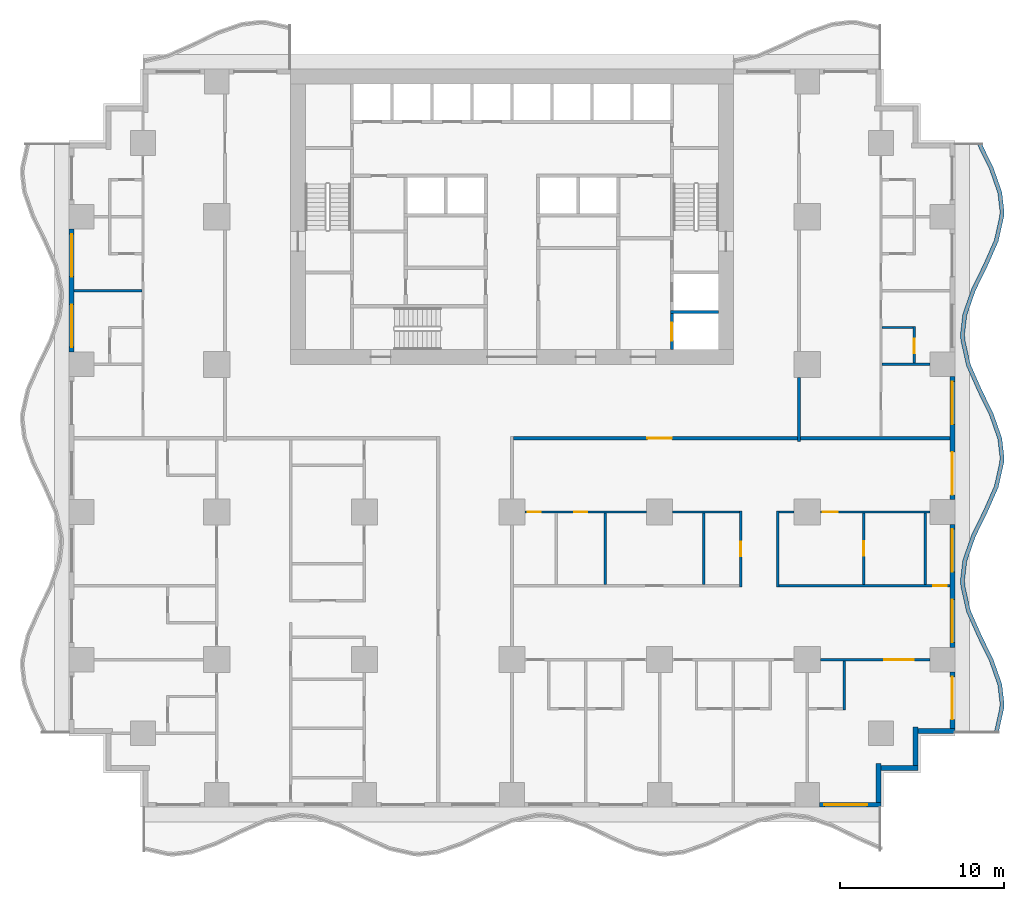
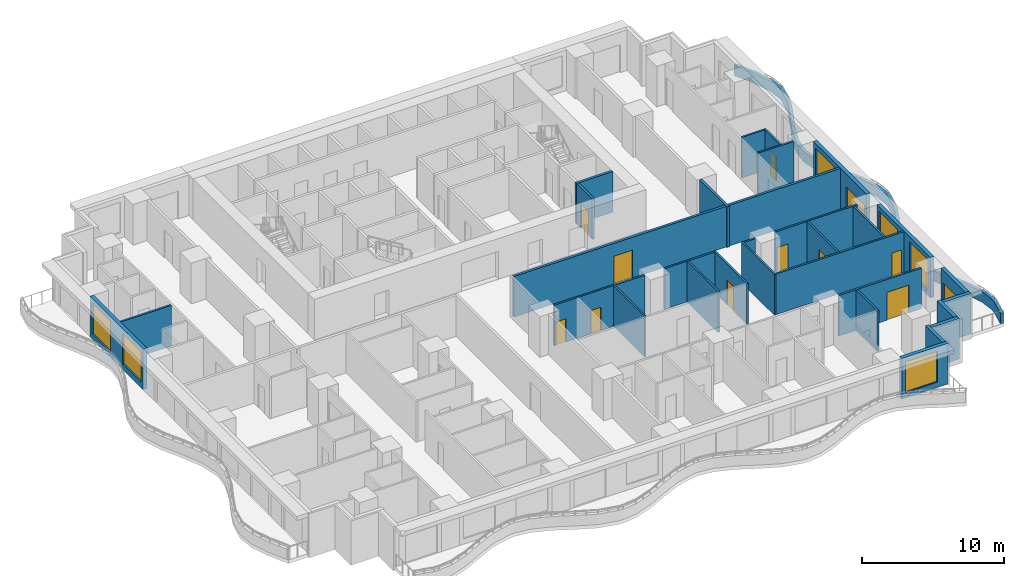
# One storey, part 4 of 14: 32 walls, 12 doors, 6 windows, 18 openings.
"""IFC4 building model written with IfcOpenShell, lengths in metres."""

from ifc_helpers import new_model, si_unit, direction, frame, frame_2d, origin, place, context, subcontext, project, spatial, polyline, rectangle, outline, extrude, material, layer, layer_set, type_object, element, fill, save


model = new_model("IFC4")

# Units and contexts
model_context = context("Model", 3, precision=1e-05, world=origin(), true_north=direction((0.0, 1.0)))
body_context = subcontext(model_context, "Body", "Model", "MODEL_VIEW")
ifc_project = project(units=[si_unit("LENGTHUNIT", "METRE"), si_unit("AREAUNIT", "SQUARE_METRE"), si_unit("VOLUMEUNIT", "CUBIC_METRE"), si_unit("PLANEANGLEUNIT", "RADIAN"), si_unit("MASSUNIT", "GRAM", prefix="KILO")], contexts=[model_context])

# Site, building, storey
site_placement = place(None, origin())
site = spatial("IfcSite", under=ifc_project, at=site_placement, CompositionType="ELEMENT")
building_placement = place(site_placement, origin())
building = spatial("IfcBuilding", under=site, at=building_placement, Name="Orbiselva Terraces", CompositionType="ELEMENT")
storey_placement = place(building_placement, frame((0.0, 0.0, 18.8)))
storey = spatial("IfcBuildingStorey", under=building, at=storey_placement, Name="L04", CompositionType="ELEMENT", Elevation=18.8)

# Wall, opening, door
ifc_material_1 = material(Name="Concrete C60/75", Category="concrete")
ifc_layer_1 = layer(ifc_material_1, 0.2)
ifc_layer_set_1 = layer_set([ifc_layer_1], Name="Concrete C60/75")
wall_type_1 = type_object("IfcWallType", Name="CORE-WALL-SHEAR-200", PredefinedType="SHEAR", material=ifc_layer_set_1)
wall_1_placement = place(storey_placement, frame((9.75, 5.4, 0.0), z_axis=(0.0, 0.0, 1.0), x_axis=(0.0, 1.0, 0.0)))
wall_1 = element("IfcWall", 1, at=wall_1_placement, inside=storey, type_object=wall_type_1, Name="L04 core wall 44", PredefinedType="SHEAR", context=body_context, shape_type="SweptSolid", body=[
    extrude(rectangle(XDim=2.2, YDim=0.2, at=frame_2d((1.1, 0.0))), origin(), (0.0, 0.0, 1.0), 3.5),
])
opening_1_placement = place(wall_1_placement, frame((0.55, 0.0, 0.0)))
opening_1 = element("IfcOpeningElement", 2, at=opening_1_placement, cuts=wall_1, Name="Opening LD-FF1", PredefinedType="OPENING", context=body_context, shape_type="SweptSolid", body=[
    extrude(rectangle(XDim=1.1, YDim=2.1, at=frame_2d((0.55, 1.05))), frame((0.0, 0.11, 0.0), z_axis=(0.0, -1.0, 0.0), x_axis=(1.0, 0.0, 0.0)), (0.0, 0.0, 1.0), 0.22),
])
ifc_material_2 = material(Name="Stainless steel landing door", Category="steel")
door_type_1 = type_object("IfcDoorType", Name="LANDING DOOR 1100", OperationType="SLIDING_TO_LEFT", PredefinedType="DOOR", material=ifc_material_2)
door_1_placement = place(opening_1_placement, origin())
door_1 = element("IfcDoor", 3, at=door_1_placement, inside=storey, type_object=door_type_1, Name="L04 landing door FF1", OperationType="SLIDING_TO_RIGHT", OverallHeight=2.1, OverallWidth=1.1, PredefinedType="DOOR", context=body_context, shape_type="SweptSolid", body=[
    extrude(rectangle(XDim=1.1, YDim=2.1, at=frame_2d((0.55, 1.05))), frame((0.0, 0.025, 0.0), z_axis=(0.0, -1.0, 0.0), x_axis=(1.0, 0.0, 0.0)), (0.0, 0.0, 1.0), 0.05),
])
fill(opening_1, door_1)

# Walls
wall_2_placement = place(storey_placement, frame((9.65, 7.7, 0.0), z_axis=(0.0, 0.0, 1.0), x_axis=(1.0, 0.0, 0.0)))
element("IfcWall", 4, at=wall_2_placement, inside=storey, type_object=wall_type_1, Name="L04 core wall 45", PredefinedType="SHEAR", context=body_context, shape_type="SweptSolid", body=[
    extrude(rectangle(XDim=2.95, YDim=0.2, at=frame_2d((1.475, 0.0))), origin(), (0.0, 0.0, 1.0), 3.5),
])
ifc_material_3 = material(Name="Concrete C40/50", Category="concrete")
ifc_layer_2 = layer(ifc_material_3, 0.25)
ifc_layer_set_2 = layer_set([ifc_layer_2], Name="Concrete C40/50")
wall_type_2 = type_object("IfcWallType", Name="ENV-PLANTER-250x900", PredefinedType="USERDEFINED", material=ifc_layer_set_2)
wall_3_placement = place(storey_placement, origin())
element("IfcWall", 5, at=wall_3_placement, inside=storey, type_object=wall_type_2, Name="Balcony planter L04 E", ObjectType="PLANTER", PredefinedType="USERDEFINED", context=body_context, shape_type="SweptSolid", body=[
    extrude(outline(polyline([(29.648528, -18.0), (29.985226, -16.5), (30.0, -16.125), (29.869208, -15.0), (29.344789, -13.5), (28.612279, -12.0), (27.951472, -10.5), (27.614774, -9.0), (27.6, -8.625), (27.730792, -7.5), (28.255211, -6.0), (28.987721, -4.5), (29.648528, -3.0), (29.985226, -1.5), (30.0, -1.125), (29.869208, 0.0), (29.344789, 1.5), (28.612279, 3.0), (27.951472, 4.5), (27.614774, 6.0), (27.6, 6.375), (27.730792, 7.5), (28.255211, 9.0), (28.987721, 10.5), (29.648528, 12.0), (29.985226, 13.5), (30.0, 13.875), (29.869208, 15.0), (29.344789, 16.5), (28.612279, 18.0), (28.387634, 17.890297), (29.113667, 16.40356), (29.624078, 14.943629), (29.749429, 13.865428), (29.736315, 13.532565), (29.40993, 12.078508), (28.760919, 10.605286), (28.024089, 9.09644), (27.485662, 7.556371), (27.349429, 6.384572), (27.365863, 5.967435), (27.712874, 4.421492), (28.385477, 2.894714), (29.113667, 1.40356), (29.624078, -0.056371), (29.749429, -1.134572), (29.736315, -1.467435), (29.40993, -2.921492), (28.760919, -4.394714), (28.024089, -5.90356), (27.485662, -7.443629), (27.349429, -8.615428), (27.365863, -9.032565), (27.712874, -10.578508), (28.385477, -12.105286), (29.113667, -13.59644), (29.624078, -15.056371), (29.749429, -16.134572), (29.736315, -16.467435), (29.404598, -17.945246), (29.648528, -18.0)])), origin(), (0.0, 0.0, 1.0), 0.9),
])

# Wall, opening, window
ifc_material_4 = material(Name="Terracotta cladding on masonry backing", Category="masonry")
ifc_layer_3 = layer(ifc_material_4, 0.3)
ifc_layer_set_3 = layer_set([ifc_layer_3], Name="Terracotta cladding on masonry backing")
wall_type_3 = type_object("IfcWallType", Name="ENV-WALL-TERRACOTTA-300", PredefinedType="SOLIDWALL", material=ifc_layer_set_3)
wall_4_placement = place(storey_placement, frame((22.5, -22.35, 0.0), z_axis=(0.0, 0.0, 1.0), x_axis=(-1.0, 0.0, 0.0)))
wall_4 = element("IfcWall", 6, at=wall_4_placement, inside=storey, type_object=wall_type_3, Name="Facade wall L04 S", PredefinedType="SOLIDWALL", context=body_context, shape_type="SweptSolid", body=[
    extrude(rectangle(XDim=3.75, YDim=0.3, at=frame_2d((1.875, 0.0))), origin(), (0.0, 0.0, 1.0), 3.5),
])
opening_2_placement = place(wall_4_placement, frame((0.85, 0.0, 0.45)))
opening_2 = element("IfcOpeningElement", 7, at=opening_2_placement, cuts=wall_4, Name="Opening WN1", PredefinedType="OPENING", context=body_context, shape_type="SweptSolid", body=[
    extrude(rectangle(XDim=2.6, YDim=2.65, at=frame_2d((1.3, 1.325))), frame((0.0, 0.16, 0.0), z_axis=(0.0, -1.0, 0.0), x_axis=(1.0, 0.0, 0.0)), (0.0, 0.0, 1.0), 0.32),
])
ifc_material_5 = material(Name="Clear low-e glazing in aluminium frame", Category="aluminium")
window_type = type_object("IfcWindowType", Name="WINDOW 2600 X 2650 S450", PartitioningType="TRIPLE_PANEL_VERTICAL", PredefinedType="WINDOW", material=ifc_material_5)
window_1_placement = place(opening_2_placement, origin())
window_1 = element("IfcWindow", 8, at=window_1_placement, inside=storey, type_object=window_type, Name="Window L04 S", OverallHeight=2.65, OverallWidth=2.6, PartitioningType="SINGLE_PANEL", PredefinedType="WINDOW", context=body_context, shape_type="SweptSolid", body=[
    extrude(rectangle(XDim=2.6, YDim=2.65, at=frame_2d((1.3, 1.325))), frame((0.0, 0.03, 0.0), z_axis=(0.0, -1.0, 0.0), x_axis=(1.0, 0.0, 0.0)), (0.0, 0.0, 1.0), 0.06),
])
fill(opening_2, window_1)

# Walls
wall_5_placement = place(storey_placement, frame((22.35, -19.85, 0.0), z_axis=(0.0, 0.0, 1.0), x_axis=(0.0, -1.0, 0.0)))
element("IfcWall", 9, at=wall_5_placement, inside=storey, type_object=wall_type_3, Name="Facade wall L04 STEP", PredefinedType="SOLIDWALL", context=body_context, shape_type="SweptSolid", body=[
    extrude(rectangle(XDim=2.35, YDim=0.3, at=frame_2d((1.175, 0.0))), origin(), (0.0, 0.0, 1.0), 3.5),
])
wall_6_placement = place(storey_placement, frame((24.75, -20.1, 0.0), z_axis=(0.0, 0.0, 1.0), x_axis=(-1.0, 0.0, 0.0)))
element("IfcWall", 10, at=wall_6_placement, inside=storey, type_object=wall_type_3, Name="Facade wall L04 STEP", PredefinedType="SOLIDWALL", context=body_context, shape_type="SweptSolid", body=[
    extrude(rectangle(XDim=2.25, YDim=0.3, at=frame_2d((1.125, 0.0))), origin(), (0.0, 0.0, 1.0), 3.5),
])
wall_7_placement = place(storey_placement, frame((24.6, -17.6, 0.0), z_axis=(0.0, 0.0, 1.0), x_axis=(0.0, -1.0, 0.0)))
element("IfcWall", 11, at=wall_7_placement, inside=storey, type_object=wall_type_3, Name="Facade wall L04 STEP", PredefinedType="SOLIDWALL", context=body_context, shape_type="SweptSolid", body=[
    extrude(rectangle(XDim=2.35, YDim=0.3, at=frame_2d((1.175, 0.0))), origin(), (0.0, 0.0, 1.0), 3.5),
])
wall_8_placement = place(storey_placement, frame((27.0, -17.85, 0.0), z_axis=(0.0, 0.0, 1.0), x_axis=(-1.0, 0.0, 0.0)))
element("IfcWall", 12, at=wall_8_placement, inside=storey, type_object=wall_type_3, Name="Facade wall L04 STEP", PredefinedType="SOLIDWALL", context=body_context, shape_type="SweptSolid", body=[
    extrude(rectangle(XDim=2.25, YDim=0.3, at=frame_2d((1.125, 0.0))), origin(), (0.0, 0.0, 1.0), 3.5),
])

# Wall, opening, door
wall_9_placement = place(storey_placement, frame((26.85, -14.25, 0.0), z_axis=(0.0, 0.0, 1.0), x_axis=(0.0, -1.0, 0.0)))
wall_9 = element("IfcWall", 13, at=wall_9_placement, inside=storey, type_object=wall_type_3, Name="Facade wall L04 E", PredefinedType="SOLIDWALL", context=body_context, shape_type="SweptSolid", body=[
    extrude(rectangle(XDim=3.45, YDim=0.3, at=frame_2d((1.725, 0.0))), origin(), (0.0, 0.0, 1.0), 3.5),
])
opening_3_placement = place(wall_9_placement, frame((0.3, 0.0, 0.0)))
opening_3 = element("IfcOpeningElement", 14, at=opening_3_placement, cuts=wall_9, Name="Opening Z1-A-E04", PredefinedType="OPENING", context=body_context, shape_type="SweptSolid", body=[
    extrude(rectangle(XDim=2.6, YDim=2.4, at=frame_2d((1.3, 1.2))), frame((0.0, 0.16, 0.0), z_axis=(0.0, -1.0, 0.0), x_axis=(1.0, 0.0, 0.0)), (0.0, 0.0, 1.0), 0.32),
])
door_type_2 = type_object("IfcDoorType", Name="BALCONY DOOR 2600 X 2400", OperationType="DOUBLE_DOOR_SLIDING", PredefinedType="DOOR", material=ifc_material_5)
door_2_placement = place(opening_3_placement, origin())
door_2 = element("IfcDoor", 15, at=door_2_placement, inside=storey, type_object=door_type_2, Name="Z1-A-E04", OperationType="SINGLE_SWING_LEFT", OverallHeight=2.4, OverallWidth=2.6, PredefinedType="DOOR", context=body_context, shape_type="SweptSolid", body=[
    extrude(rectangle(XDim=2.6, YDim=2.4, at=frame_2d((1.3, 1.2))), frame((0.0, 0.025, 0.0), z_axis=(0.0, -1.0, 0.0), x_axis=(1.0, 0.0, 0.0)), (0.0, 0.0, 1.0), 0.05),
])
fill(opening_3, door_2)

# Wall, openings, windows
wall_10_placement = place(storey_placement, frame((26.85, -5.25, 0.0), z_axis=(0.0, 0.0, 1.0), x_axis=(0.0, -1.0, 0.0)))
wall_10 = element("IfcWall", 16, at=wall_10_placement, inside=storey, type_object=wall_type_3, Name="Facade wall L04 E", PredefinedType="SOLIDWALL", context=body_context, shape_type="SweptSolid", body=[
    extrude(rectangle(XDim=7.5, YDim=0.3, at=frame_2d((3.75, 0.0))), origin(), (0.0, 0.0, 1.0), 3.5),
])
opening_4_placement = place(wall_10_placement, frame((4.6, 0.0, 0.45)))
opening_4 = element("IfcOpeningElement", 17, at=opening_4_placement, cuts=wall_10, Name="Opening WN1", PredefinedType="OPENING", context=body_context, shape_type="SweptSolid", body=[
    extrude(rectangle(XDim=2.6, YDim=2.65, at=frame_2d((1.3, 1.325))), frame((0.0, 0.16, 0.0), z_axis=(0.0, -1.0, 0.0), x_axis=(1.0, 0.0, 0.0)), (0.0, 0.0, 1.0), 0.32),
])
opening_5_placement = place(wall_10_placement, frame((0.3, 0.0, 0.45)))
opening_5 = element("IfcOpeningElement", 18, at=opening_5_placement, cuts=wall_10, Name="Opening WN1", PredefinedType="OPENING", context=body_context, shape_type="SweptSolid", body=[
    extrude(rectangle(XDim=2.6, YDim=2.65, at=frame_2d((1.3, 1.325))), frame((0.0, 0.16, 0.0), z_axis=(0.0, -1.0, 0.0), x_axis=(1.0, 0.0, 0.0)), (0.0, 0.0, 1.0), 0.32),
])
window_2_placement = place(opening_4_placement, origin())
window_2 = element("IfcWindow", 19, at=window_2_placement, inside=storey, type_object=window_type, Name="Window L04 E", OverallHeight=2.65, OverallWidth=2.6, PartitioningType="SINGLE_PANEL", PredefinedType="WINDOW", context=body_context, shape_type="SweptSolid", body=[
    extrude(rectangle(XDim=2.6, YDim=2.65, at=frame_2d((1.3, 1.325))), frame((0.0, 0.03, 0.0), z_axis=(0.0, -1.0, 0.0), x_axis=(1.0, 0.0, 0.0)), (0.0, 0.0, 1.0), 0.06),
])
fill(opening_4, window_2)
window_3_placement = place(opening_5_placement, origin())
window_3 = element("IfcWindow", 20, at=window_3_placement, inside=storey, type_object=window_type, Name="Window L04 E", OverallHeight=2.65, OverallWidth=2.6, PartitioningType="SINGLE_PANEL", PredefinedType="WINDOW", context=body_context, shape_type="SweptSolid", body=[
    extrude(rectangle(XDim=2.6, YDim=2.65, at=frame_2d((1.3, 1.325))), frame((0.0, 0.03, 0.0), z_axis=(0.0, -1.0, 0.0), x_axis=(1.0, 0.0, 0.0)), (0.0, 0.0, 1.0), 0.06),
])
fill(opening_5, window_3)

# Wall, openings, door, window
wall_11_placement = place(storey_placement, frame((26.85, 3.75, 0.0), z_axis=(0.0, 0.0, 1.0), x_axis=(0.0, -1.0, 0.0)))
wall_11 = element("IfcWall", 21, at=wall_11_placement, inside=storey, type_object=wall_type_3, Name="Facade wall L04 E", PredefinedType="SOLIDWALL", context=body_context, shape_type="SweptSolid", body=[
    extrude(rectangle(XDim=7.5, YDim=0.3, at=frame_2d((3.75, 0.0))), origin(), (0.0, 0.0, 1.0), 3.5),
])
opening_6_placement = place(wall_11_placement, frame((4.6, 0.0, 0.0)))
opening_6 = element("IfcOpeningElement", 22, at=opening_6_placement, cuts=wall_11, Name="Opening Z1-A-E14", PredefinedType="OPENING", context=body_context, shape_type="SweptSolid", body=[
    extrude(rectangle(XDim=2.6, YDim=2.4, at=frame_2d((1.3, 1.2))), frame((0.0, 0.16, 0.0), z_axis=(0.0, -1.0, 0.0), x_axis=(1.0, 0.0, 0.0)), (0.0, 0.0, 1.0), 0.32),
])
opening_7_placement = place(wall_11_placement, frame((0.3, 0.0, 0.45)))
opening_7 = element("IfcOpeningElement", 23, at=opening_7_placement, cuts=wall_11, Name="Opening WN1", PredefinedType="OPENING", context=body_context, shape_type="SweptSolid", body=[
    extrude(rectangle(XDim=2.6, YDim=2.65, at=frame_2d((1.3, 1.325))), frame((0.0, 0.16, 0.0), z_axis=(0.0, -1.0, 0.0), x_axis=(1.0, 0.0, 0.0)), (0.0, 0.0, 1.0), 0.32),
])
door_3_placement = place(opening_6_placement, origin())
door_3 = element("IfcDoor", 24, at=door_3_placement, inside=storey, type_object=door_type_2, Name="Z1-A-E14", OperationType="SINGLE_SWING_LEFT", OverallHeight=2.4, OverallWidth=2.6, PredefinedType="DOOR", context=body_context, shape_type="SweptSolid", body=[
    extrude(rectangle(XDim=2.6, YDim=2.4, at=frame_2d((1.3, 1.2))), frame((0.0, 0.025, 0.0), z_axis=(0.0, -1.0, 0.0), x_axis=(1.0, 0.0, 0.0)), (0.0, 0.0, 1.0), 0.05),
])
fill(opening_6, door_3)
window_4_placement = place(opening_7_placement, origin())
window_4 = element("IfcWindow", 25, at=window_4_placement, inside=storey, type_object=window_type, Name="Window L04 E", OverallHeight=2.65, OverallWidth=2.6, PartitioningType="SINGLE_PANEL", PredefinedType="WINDOW", context=body_context, shape_type="SweptSolid", body=[
    extrude(rectangle(XDim=2.6, YDim=2.65, at=frame_2d((1.3, 1.325))), frame((0.0, 0.03, 0.0), z_axis=(0.0, -1.0, 0.0), x_axis=(1.0, 0.0, 0.0)), (0.0, 0.0, 1.0), 0.06),
])
fill(opening_7, window_4)

# Wall, openings, windows
wall_12_placement = place(storey_placement, frame((-26.85, 5.25, 0.0), z_axis=(0.0, 0.0, 1.0), x_axis=(0.0, 1.0, 0.0)))
wall_12 = element("IfcWall", 26, at=wall_12_placement, inside=storey, type_object=wall_type_3, Name="Facade wall L04 W", PredefinedType="SOLIDWALL", context=body_context, shape_type="SweptSolid", body=[
    extrude(rectangle(XDim=7.5, YDim=0.3, at=frame_2d((3.75, 0.0))), origin(), (0.0, 0.0, 1.0), 3.5),
])
opening_8_placement = place(wall_12_placement, frame((4.6, 0.0, 0.45)))
opening_8 = element("IfcOpeningElement", 27, at=opening_8_placement, cuts=wall_12, Name="Opening WN1", PredefinedType="OPENING", context=body_context, shape_type="SweptSolid", body=[
    extrude(rectangle(XDim=2.6, YDim=2.65, at=frame_2d((1.3, 1.325))), frame((0.0, 0.16, 0.0), z_axis=(0.0, -1.0, 0.0), x_axis=(1.0, 0.0, 0.0)), (0.0, 0.0, 1.0), 0.32),
])
opening_9_placement = place(wall_12_placement, frame((0.3, 0.0, 0.45)))
opening_9 = element("IfcOpeningElement", 28, at=opening_9_placement, cuts=wall_12, Name="Opening WN1", PredefinedType="OPENING", context=body_context, shape_type="SweptSolid", body=[
    extrude(rectangle(XDim=2.6, YDim=2.65, at=frame_2d((1.3, 1.325))), frame((0.0, 0.16, 0.0), z_axis=(0.0, -1.0, 0.0), x_axis=(1.0, 0.0, 0.0)), (0.0, 0.0, 1.0), 0.32),
])
window_5_placement = place(opening_8_placement, origin())
window_5 = element("IfcWindow", 29, at=window_5_placement, inside=storey, type_object=window_type, Name="Window L04 W", OverallHeight=2.65, OverallWidth=2.6, PartitioningType="SINGLE_PANEL", PredefinedType="WINDOW", context=body_context, shape_type="SweptSolid", body=[
    extrude(rectangle(XDim=2.6, YDim=2.65, at=frame_2d((1.3, 1.325))), frame((0.0, 0.03, 0.0), z_axis=(0.0, -1.0, 0.0), x_axis=(1.0, 0.0, 0.0)), (0.0, 0.0, 1.0), 0.06),
])
fill(opening_8, window_5)
window_6_placement = place(opening_9_placement, origin())
window_6 = element("IfcWindow", 30, at=window_6_placement, inside=storey, type_object=window_type, Name="Window L04 W", OverallHeight=2.65, OverallWidth=2.6, PartitioningType="SINGLE_PANEL", PredefinedType="WINDOW", context=body_context, shape_type="SweptSolid", body=[
    extrude(rectangle(XDim=2.6, YDim=2.65, at=frame_2d((1.3, 1.325))), frame((0.0, 0.03, 0.0), z_axis=(0.0, -1.0, 0.0), x_axis=(1.0, 0.0, 0.0)), (0.0, 0.0, 1.0), 0.06),
])
fill(opening_9, window_6)

# Wall, opening, door
ifc_material_6 = material(Name="Plasterboard on steel stud partition", Category="steel")
ifc_layer_4 = layer(ifc_material_6, 0.2)
ifc_layer_set_4 = layer_set([ifc_layer_4], Name="Plasterboard on steel stud partition")
wall_type_4 = type_object("IfcWallType", Name="UNIT-ENTRANCE-WALL-200", PredefinedType="PARTITIONING", material=ifc_layer_set_4)
wall_13_placement = place(storey_placement, frame((17.4, 0.0, 0.0), z_axis=(0.0, 0.0, 1.0), x_axis=(-1.0, 0.0, 0.0)))
wall_13 = element("IfcWall", 31, at=wall_13_placement, inside=storey, type_object=wall_type_4, Name="PARTITION L04-030", PredefinedType="PARTITIONING", context=body_context, shape_type="SweptSolid", body=[
    extrude(rectangle(XDim=17.3, YDim=0.2, at=frame_2d((8.65, 0.0))), origin(), (0.0, 0.0, 1.0), 3.5),
])
opening_10_placement = place(wall_13_placement, frame((7.65, 0.0, 0.0)))
opening_10 = element("IfcOpeningElement", 32, at=opening_10_placement, cuts=wall_13, Name="Opening Z1-A-32", PredefinedType="OPENING", context=body_context, shape_type="SweptSolid", body=[
    extrude(rectangle(XDim=1.5, YDim=2.4, at=frame_2d((0.75, 1.2))), frame((0.0, 0.11, 0.0), z_axis=(0.0, -1.0, 0.0), x_axis=(1.0, 0.0, 0.0)), (0.0, 0.0, 1.0), 0.22),
])
ifc_material_7 = material(Name="Painted timber door leaf", Category="wood")
door_type_3 = type_object("IfcDoorType", Name="ENTRANCE DOUBLE DOOR 1500", OperationType="NOTDEFINED", PredefinedType="DOOR", material=ifc_material_7)
door_4_placement = place(opening_10_placement, origin())
door_4 = element("IfcDoor", 33, at=door_4_placement, inside=storey, type_object=door_type_3, Name="Z1-A-32", OperationType="DOUBLE_DOOR_SINGLE_SWING", OverallHeight=2.4, OverallWidth=1.5, PredefinedType="DOOR", context=body_context, shape_type="SweptSolid", body=[
    extrude(rectangle(XDim=1.5, YDim=2.4, at=frame_2d((0.75, 1.2))), frame((0.0, 0.025, 0.0), z_axis=(0.0, -1.0, 0.0), x_axis=(1.0, 0.0, 0.0)), (0.0, 0.0, 1.0), 0.05),
])
fill(opening_10, door_4)

# Wall
wall_14_placement = place(storey_placement, frame((17.5, -0.2, 0.0), z_axis=(0.0, 0.0, 1.0), x_axis=(0.0, 1.0, 0.0)))
element("IfcWall", 34, at=wall_14_placement, inside=storey, type_object=wall_type_4, Name="PARTITION L04-082", PredefinedType="PARTITIONING", context=body_context, shape_type="SweptSolid", body=[
    extrude(rectangle(XDim=3.9, YDim=0.2, at=frame_2d((1.95, 0.0))), origin(), (0.0, 0.0, 1.0), 3.5),
])

# Wall, opening, door
ifc_layer_5 = layer(ifc_material_6, 0.15)
ifc_layer_set_5 = layer_set([ifc_layer_5], Name="Plasterboard on steel stud partition")
wall_type_5 = type_object("IfcWallType", Name="UNIT-PARTITION-150", PredefinedType="PARTITIONING", material=ifc_layer_set_5)
wall_15_placement = place(storey_placement, frame((25.5, -13.5, 0.0), z_axis=(0.0, 0.0, 1.0), x_axis=(-1.0, 0.0, 0.0)))
wall_15 = element("IfcWall", 35, at=wall_15_placement, inside=storey, type_object=wall_type_5, Name="PARTITION L04-015", PredefinedType="PARTITIONING", context=body_context, shape_type="SweptSolid", body=[
    extrude(rectangle(XDim=6.7, YDim=0.15, at=frame_2d((3.35, 0.0))), origin(), (0.0, 0.0, 1.0), 3.5),
])
opening_11_placement = place(wall_15_placement, frame((1.0, 0.0, 0.0)))
opening_11 = element("IfcOpeningElement", 36, at=opening_11_placement, cuts=wall_15, Name="Opening Z1-A-48", PredefinedType="OPENING", context=body_context, shape_type="SweptSolid", body=[
    extrude(rectangle(XDim=1.8, YDim=2.4, at=frame_2d((0.9, 1.2))), frame((0.0, 0.085, 0.0), z_axis=(0.0, -1.0, 0.0), x_axis=(1.0, 0.0, 0.0)), (0.0, 0.0, 1.0), 0.17),
])
door_type_4 = type_object("IfcDoorType", Name="DOUBLE DOOR 1800", OperationType="NOTDEFINED", PredefinedType="DOOR", material=ifc_material_7)
door_5_placement = place(opening_11_placement, origin())
door_5 = element("IfcDoor", 37, at=door_5_placement, inside=storey, type_object=door_type_4, Name="Z1-A-48", OperationType="DOUBLE_DOOR_SINGLE_SWING", OverallHeight=2.4, OverallWidth=1.8, PredefinedType="DOOR", context=body_context, shape_type="SweptSolid", body=[
    extrude(rectangle(XDim=1.8, YDim=2.4, at=frame_2d((0.9, 1.2))), frame((0.0, 0.025, 0.0), z_axis=(0.0, -1.0, 0.0), x_axis=(1.0, 0.0, 0.0)), (0.0, 0.0, 1.0), 0.05),
])
fill(opening_11, door_5)

wall_16_placement = place(storey_placement, frame((16.275, -9.0, 0.0), z_axis=(0.0, 0.0, 1.0), x_axis=(1.0, 0.0, 0.0)))
wall_16 = element("IfcWall", 38, at=wall_16_placement, inside=storey, type_object=wall_type_5, Name="PARTITION L04-021", PredefinedType="PARTITIONING", context=body_context, shape_type="SweptSolid", body=[
    extrude(rectangle(XDim=10.425, YDim=0.15, at=frame_2d((5.2125, 0.0))), origin(), (0.0, 0.0, 1.0), 3.5),
])
opening_12_placement = place(wall_16_placement, frame((9.425, 0.0, 0.0)))
opening_12 = element("IfcOpeningElement", 39, at=opening_12_placement, cuts=wall_16, Name="Opening Z1-A-39", PredefinedType="OPENING", context=body_context, shape_type="SweptSolid", body=[
    extrude(rectangle(XDim=0.8, YDim=2.0, at=frame_2d((0.4, 1.0))), frame((0.0, 0.085, 0.0), z_axis=(0.0, -1.0, 0.0), x_axis=(1.0, 0.0, 0.0)), (0.0, 0.0, 1.0), 0.17),
])
door_type_5 = type_object("IfcDoorType", Name="STORE DOOR 800", OperationType="NOTDEFINED", PredefinedType="DOOR", material=ifc_material_7)
door_6_placement = place(opening_12_placement, origin())
door_6 = element("IfcDoor", 40, at=door_6_placement, inside=storey, type_object=door_type_5, Name="Z1-A-39", OperationType="SINGLE_SWING_RIGHT", OverallHeight=2.0, OverallWidth=0.8, PredefinedType="DOOR", context=body_context, shape_type="SweptSolid", body=[
    extrude(rectangle(XDim=0.8, YDim=2.0, at=frame_2d((0.4, 1.0))), frame((0.0, 0.025, 0.0), z_axis=(0.0, -1.0, 0.0), x_axis=(1.0, 0.0, 0.0)), (0.0, 0.0, 1.0), 0.05),
])
fill(opening_12, door_6)

# Wall, openings, doors
wall_17_placement = place(storey_placement, frame((8.2, -4.5, 0.0), z_axis=(0.0, 0.0, 1.0), x_axis=(-1.0, 0.0, 0.0)))
wall_17 = element("IfcWall", 41, at=wall_17_placement, inside=storey, type_object=wall_type_5, Name="PARTITION L04-023", PredefinedType="PARTITIONING", context=body_context, shape_type="SweptSolid", body=[
    extrude(rectangle(XDim=7.4, YDim=0.15, at=frame_2d((3.7, 0.0))), origin(), (0.0, 0.0, 1.0), 3.5),
])
opening_13_placement = place(wall_17_placement, frame((6.45, 0.0, 0.0)))
opening_13 = element("IfcOpeningElement", 42, at=opening_13_placement, cuts=wall_17, Name="Opening Z1-A-33", PredefinedType="OPENING", context=body_context, shape_type="SweptSolid", body=[
    extrude(rectangle(XDim=0.8, YDim=2.0, at=frame_2d((0.4, 1.0))), frame((0.0, 0.085, 0.0), z_axis=(0.0, -1.0, 0.0), x_axis=(1.0, 0.0, 0.0)), (0.0, 0.0, 1.0), 0.17),
])
opening_14_placement = place(wall_17_placement, frame((3.6, 0.0, 0.0)))
opening_14 = element("IfcOpeningElement", 43, at=opening_14_placement, cuts=wall_17, Name="Opening Z1-A-34", PredefinedType="OPENING", context=body_context, shape_type="SweptSolid", body=[
    extrude(rectangle(XDim=0.8, YDim=2.0, at=frame_2d((0.4, 1.0))), frame((0.0, 0.085, 0.0), z_axis=(0.0, -1.0, 0.0), x_axis=(1.0, 0.0, 0.0)), (0.0, 0.0, 1.0), 0.17),
])
door_7_placement = place(opening_13_placement, origin())
door_7 = element("IfcDoor", 44, at=door_7_placement, inside=storey, type_object=door_type_5, Name="Z1-A-33", OperationType="SINGLE_SWING_RIGHT", OverallHeight=2.0, OverallWidth=0.8, PredefinedType="DOOR", context=body_context, shape_type="SweptSolid", body=[
    extrude(rectangle(XDim=0.8, YDim=2.0, at=frame_2d((0.4, 1.0))), frame((0.0, 0.025, 0.0), z_axis=(0.0, -1.0, 0.0), x_axis=(1.0, 0.0, 0.0)), (0.0, 0.0, 1.0), 0.05),
])
fill(opening_13, door_7)
door_8_placement = place(opening_14_placement, origin())
door_8 = element("IfcDoor", 45, at=door_8_placement, inside=storey, type_object=door_type_5, Name="Z1-A-34", OperationType="SINGLE_SWING_RIGHT", OverallHeight=2.0, OverallWidth=0.8, PredefinedType="DOOR", context=body_context, shape_type="SweptSolid", body=[
    extrude(rectangle(XDim=0.8, YDim=2.0, at=frame_2d((0.4, 1.0))), frame((0.0, 0.025, 0.0), z_axis=(0.0, -1.0, 0.0), x_axis=(1.0, 0.0, 0.0)), (0.0, 0.0, 1.0), 0.05),
])
fill(opening_14, door_8)

# Walls
wall_18_placement = place(storey_placement, frame((9.8, -4.5, 0.0), z_axis=(0.0, 0.0, 1.0), x_axis=(1.0, 0.0, 0.0)))
element("IfcWall", 46, at=wall_18_placement, inside=storey, type_object=wall_type_5, Name="PARTITION L04-024", PredefinedType="PARTITIONING", context=body_context, shape_type="SweptSolid", body=[
    extrude(rectangle(XDim=4.075, YDim=0.15, at=frame_2d((2.0375, 0.0))), origin(), (0.0, 0.0, 1.0), 3.5),
])
wall_19_placement = place(storey_placement, frame((16.275, -4.5, 0.0), z_axis=(0.0, 0.0, 1.0), x_axis=(1.0, 0.0, 0.0)))
element("IfcWall", 47, at=wall_19_placement, inside=storey, type_object=wall_type_5, Name="PARTITION L04-025", PredefinedType="PARTITIONING", context=body_context, shape_type="SweptSolid", body=[
    extrude(rectangle(XDim=0.925, YDim=0.15, at=frame_2d((0.4625, 0.0))), origin(), (0.0, 0.0, 1.0), 3.5),
])

# Wall, opening, door
wall_20_placement = place(storey_placement, frame((25.5, -4.5, 0.0), z_axis=(0.0, 0.0, 1.0), x_axis=(-1.0, 0.0, 0.0)))
wall_20 = element("IfcWall", 48, at=wall_20_placement, inside=storey, type_object=wall_type_5, Name="PARTITION L04-026", PredefinedType="PARTITIONING", context=body_context, shape_type="SweptSolid", body=[
    extrude(rectangle(XDim=6.7, YDim=0.15, at=frame_2d((3.35, 0.0))), origin(), (0.0, 0.0, 1.0), 3.5),
])
opening_15_placement = place(wall_20_placement, frame((5.65, 0.0, 0.0)))
opening_15 = element("IfcOpeningElement", 49, at=opening_15_placement, cuts=wall_20, Name="Opening Z1-A-37", PredefinedType="OPENING", context=body_context, shape_type="SweptSolid", body=[
    extrude(rectangle(XDim=0.9, YDim=2.1, at=frame_2d((0.45, 1.05))), frame((0.0, 0.085, 0.0), z_axis=(0.0, -1.0, 0.0), x_axis=(1.0, 0.0, 0.0)), (0.0, 0.0, 1.0), 0.17),
])
door_type_6 = type_object("IfcDoorType", Name="SERVICE DOOR 900", OperationType="NOTDEFINED", PredefinedType="DOOR", material=ifc_material_7)
door_9_placement = place(opening_15_placement, origin())
door_9 = element("IfcDoor", 50, at=door_9_placement, inside=storey, type_object=door_type_6, Name="Z1-A-37", OperationType="SINGLE_SWING_RIGHT", OverallHeight=2.1, OverallWidth=0.9, PredefinedType="DOOR", context=body_context, shape_type="SweptSolid", body=[
    extrude(rectangle(XDim=0.9, YDim=2.1, at=frame_2d((0.45, 1.05))), frame((0.0, 0.025, 0.0), z_axis=(0.0, -1.0, 0.0), x_axis=(1.0, 0.0, 0.0)), (0.0, 0.0, 1.0), 0.05),
])
fill(opening_15, door_9)

# Walls
wall_21_placement = place(storey_placement, frame((22.575, 4.5, 0.0), z_axis=(0.0, 0.0, 1.0), x_axis=(1.0, 0.0, 0.0)))
element("IfcWall", 51, at=wall_21_placement, inside=storey, type_object=wall_type_5, Name="PARTITION L04-034", PredefinedType="PARTITIONING", context=body_context, shape_type="SweptSolid", body=[
    extrude(rectangle(XDim=2.925, YDim=0.15, at=frame_2d((1.4625, 0.0))), origin(), (0.0, 0.0, 1.0), 3.5),
])
wall_22_placement = place(storey_placement, frame((22.575, 6.75, 0.0), z_axis=(0.0, 0.0, 1.0), x_axis=(1.0, 0.0, 0.0)))
element("IfcWall", 52, at=wall_22_placement, inside=storey, type_object=wall_type_5, Name="PARTITION L04-036", PredefinedType="PARTITIONING", context=body_context, shape_type="SweptSolid", body=[
    extrude(rectangle(XDim=1.875, YDim=0.15, at=frame_2d((0.9375, 0.0))), origin(), (0.0, 0.0, 1.0), 3.5),
])
wall_23_placement = place(storey_placement, frame((-26.7, 9.0, 0.0), z_axis=(0.0, 0.0, 1.0), x_axis=(1.0, 0.0, 0.0)))
element("IfcWall", 53, at=wall_23_placement, inside=storey, type_object=wall_type_5, Name="PARTITION L04-037", PredefinedType="PARTITIONING", context=body_context, shape_type="SweptSolid", body=[
    extrude(rectangle(XDim=4.125, YDim=0.15, at=frame_2d((2.0625, 0.0))), origin(), (0.0, 0.0, 1.0), 3.5),
])
for number, where, z_axis, x_axis, name in (
    (54, (5.7, -8.925, 0.0), (0.0, 0.0, 1.0), (0.0, 1.0, 0.0), "PARTITION L04-073"),
    (55, (11.7, -8.925, 0.0), (0.0, 0.0, 1.0), (0.0, 1.0, 0.0), "PARTITION L04-077"),
):
    element("IfcWall", number, at=place(storey_placement, frame(where, z_axis=z_axis, x_axis=x_axis)), inside=storey, type_object=wall_type_5, Name=name, PredefinedType="PARTITIONING", context=body_context, shape_type="SweptSolid", body=[
        extrude(rectangle(XDim=4.35, YDim=0.15, at=frame_2d((2.175, 0.0))), origin(), (0.0, 0.0, 1.0), 3.5),
    ])

# Wall, opening, door
wall_24_placement = place(storey_placement, frame((13.95, -9.075, 0.0), z_axis=(0.0, 0.0, 1.0), x_axis=(0.0, 1.0, 0.0)))
wall_24 = element("IfcWall", 56, at=wall_24_placement, inside=storey, type_object=wall_type_5, Name="PARTITION L04-079", PredefinedType="PARTITIONING", context=body_context, shape_type="SweptSolid", body=[
    extrude(rectangle(XDim=4.65, YDim=0.15, at=frame_2d((2.325, 0.0))), origin(), (0.0, 0.0, 1.0), 3.5),
])
opening_16_placement = place(wall_24_placement, frame((1.875, 0.0, 0.0)))
opening_16 = element("IfcOpeningElement", 57, at=opening_16_placement, cuts=wall_24, Name="Opening Z1-A-36", PredefinedType="OPENING", context=body_context, shape_type="SweptSolid", body=[
    extrude(rectangle(XDim=0.9, YDim=2.1, at=frame_2d((0.45, 1.05))), frame((0.0, 0.085, 0.0), z_axis=(0.0, -1.0, 0.0), x_axis=(1.0, 0.0, 0.0)), (0.0, 0.0, 1.0), 0.17),
])
door_type_7 = type_object("IfcDoorType", Name="BATH DOOR 900", OperationType="NOTDEFINED", PredefinedType="DOOR", material=ifc_material_7)
door_10_placement = place(opening_16_placement, origin())
door_10 = element("IfcDoor", 58, at=door_10_placement, inside=storey, type_object=door_type_7, Name="Z1-A-36", OperationType="SINGLE_SWING_LEFT", OverallHeight=2.1, OverallWidth=0.9, PredefinedType="DOOR", context=body_context, shape_type="SweptSolid", body=[
    extrude(rectangle(XDim=0.9, YDim=2.1, at=frame_2d((0.45, 1.05))), frame((0.0, 0.025, 0.0), z_axis=(0.0, -1.0, 0.0), x_axis=(1.0, 0.0, 0.0)), (0.0, 0.0, 1.0), 0.05),
])
fill(opening_16, door_10)

# Walls
wall_25_placement = place(storey_placement, frame((16.2, -9.075, 0.0), z_axis=(0.0, 0.0, 1.0), x_axis=(0.0, 1.0, 0.0)))
element("IfcWall", 59, at=wall_25_placement, inside=storey, type_object=wall_type_5, Name="PARTITION L04-081", PredefinedType="PARTITIONING", context=body_context, shape_type="SweptSolid", body=[
    extrude(rectangle(XDim=4.65, YDim=0.15, at=frame_2d((2.325, 0.0))), origin(), (0.0, 0.0, 1.0), 3.5),
])
wall_26_placement = place(storey_placement, frame((20.25, -16.575, 0.0), z_axis=(0.0, 0.0, 1.0), x_axis=(0.0, 1.0, 0.0)))
element("IfcWall", 60, at=wall_26_placement, inside=storey, type_object=wall_type_5, Name="PARTITION L04-086", PredefinedType="PARTITIONING", context=body_context, shape_type="SweptSolid", body=[
    extrude(rectangle(XDim=3.0, YDim=0.15, at=frame_2d((1.5, 0.0))), origin(), (0.0, 0.0, 1.0), 3.5),
])

# Wall, opening, door
wall_27_placement = place(storey_placement, frame((21.45, -4.575, 0.0), z_axis=(0.0, 0.0, 1.0), x_axis=(0.0, -1.0, 0.0)))
wall_27 = element("IfcWall", 61, at=wall_27_placement, inside=storey, type_object=wall_type_5, Name="PARTITION L04-087", PredefinedType="PARTITIONING", context=body_context, shape_type="SweptSolid", body=[
    extrude(rectangle(XDim=4.35, YDim=0.15, at=frame_2d((2.175, 0.0))), origin(), (0.0, 0.0, 1.0), 3.5),
])
opening_17_placement = place(wall_27_placement, frame((1.7, 0.0, 0.0)))
opening_17 = element("IfcOpeningElement", 62, at=opening_17_placement, cuts=wall_27, Name="Opening Z1-A-38", PredefinedType="OPENING", context=body_context, shape_type="SweptSolid", body=[
    extrude(rectangle(XDim=0.9, YDim=2.1, at=frame_2d((0.45, 1.05))), frame((0.0, 0.085, 0.0), z_axis=(0.0, -1.0, 0.0), x_axis=(1.0, 0.0, 0.0)), (0.0, 0.0, 1.0), 0.17),
])
door_11_placement = place(opening_17_placement, origin())
door_11 = element("IfcDoor", 63, at=door_11_placement, inside=storey, type_object=door_type_7, Name="Z1-A-38", OperationType="SINGLE_SWING_LEFT", OverallHeight=2.1, OverallWidth=0.9, PredefinedType="DOOR", context=body_context, shape_type="SweptSolid", body=[
    extrude(rectangle(XDim=0.9, YDim=2.1, at=frame_2d((0.45, 1.05))), frame((0.0, 0.025, 0.0), z_axis=(0.0, -1.0, 0.0), x_axis=(1.0, 0.0, 0.0)), (0.0, 0.0, 1.0), 0.05),
])
fill(opening_17, door_11)

wall_28_placement = place(storey_placement, frame((24.525, 4.575, 0.0), z_axis=(0.0, 0.0, 1.0), x_axis=(0.0, 1.0, 0.0)))
wall_28 = element("IfcWall", 64, at=wall_28_placement, inside=storey, type_object=wall_type_5, Name="PARTITION L04-090", PredefinedType="PARTITIONING", context=body_context, shape_type="SweptSolid", body=[
    extrude(rectangle(XDim=2.25, YDim=0.15, at=frame_2d((1.125, 0.0))), origin(), (0.0, 0.0, 1.0), 3.5),
])
opening_18_placement = place(wall_28_placement, frame((0.6, 0.0, 0.0)))
opening_18 = element("IfcOpeningElement", 65, at=opening_18_placement, cuts=wall_28, Name="Opening Z1-A-12", PredefinedType="OPENING", context=body_context, shape_type="SweptSolid", body=[
    extrude(rectangle(XDim=0.9, YDim=2.1, at=frame_2d((0.45, 1.05))), frame((0.0, 0.085, 0.0), z_axis=(0.0, -1.0, 0.0), x_axis=(1.0, 0.0, 0.0)), (0.0, 0.0, 1.0), 0.17),
])
door_12_placement = place(opening_18_placement, origin())
door_12 = element("IfcDoor", 66, at=door_12_placement, inside=storey, type_object=door_type_7, Name="Z1-A-12", OperationType="SINGLE_SWING_LEFT", OverallHeight=2.1, OverallWidth=0.9, PredefinedType="DOOR", context=body_context, shape_type="SweptSolid", body=[
    extrude(rectangle(XDim=0.9, YDim=2.1, at=frame_2d((0.45, 1.05))), frame((0.0, 0.025, 0.0), z_axis=(0.0, -1.0, 0.0), x_axis=(1.0, 0.0, 0.0)), (0.0, 0.0, 1.0), 0.05),
])
fill(opening_18, door_12)

# Walls
wall_29_placement = place(storey_placement, frame((25.2, -8.925, 0.0), z_axis=(0.0, 0.0, 1.0), x_axis=(0.0, 1.0, 0.0)))
element("IfcWall", 67, at=wall_29_placement, inside=storey, type_object=wall_type_5, Name="PARTITION L04-092", PredefinedType="PARTITIONING", context=body_context, shape_type="SweptSolid", body=[
    extrude(rectangle(XDim=4.35, YDim=0.15, at=frame_2d((2.175, 0.0))), origin(), (0.0, 0.0, 1.0), 3.5),
])
ifc_layer_6 = layer(ifc_material_6, 0.2)
ifc_layer_set_6 = layer_set([ifc_layer_6], Name="Plasterboard on steel stud partition")
wall_type_6 = type_object("IfcWallType", Name="UNIT-PARTY-WALL-200", PredefinedType="PARTITIONING", material=ifc_layer_set_6)
wall_30_placement = place(storey_placement, frame((17.6, 0.0, 0.0), z_axis=(0.0, 0.0, 1.0), x_axis=(1.0, 0.0, 0.0)))
element("IfcWall", 68, at=wall_30_placement, inside=storey, type_object=wall_type_6, Name="PARTITION L04-032", PredefinedType="PARTITIONING", context=body_context, shape_type="SweptSolid", body=[
    extrude(rectangle(XDim=9.1, YDim=0.2, at=frame_2d((4.55, 0.0))), origin(), (0.0, 0.0, 1.0), 3.5),
])

save(model, "model.ifc")
